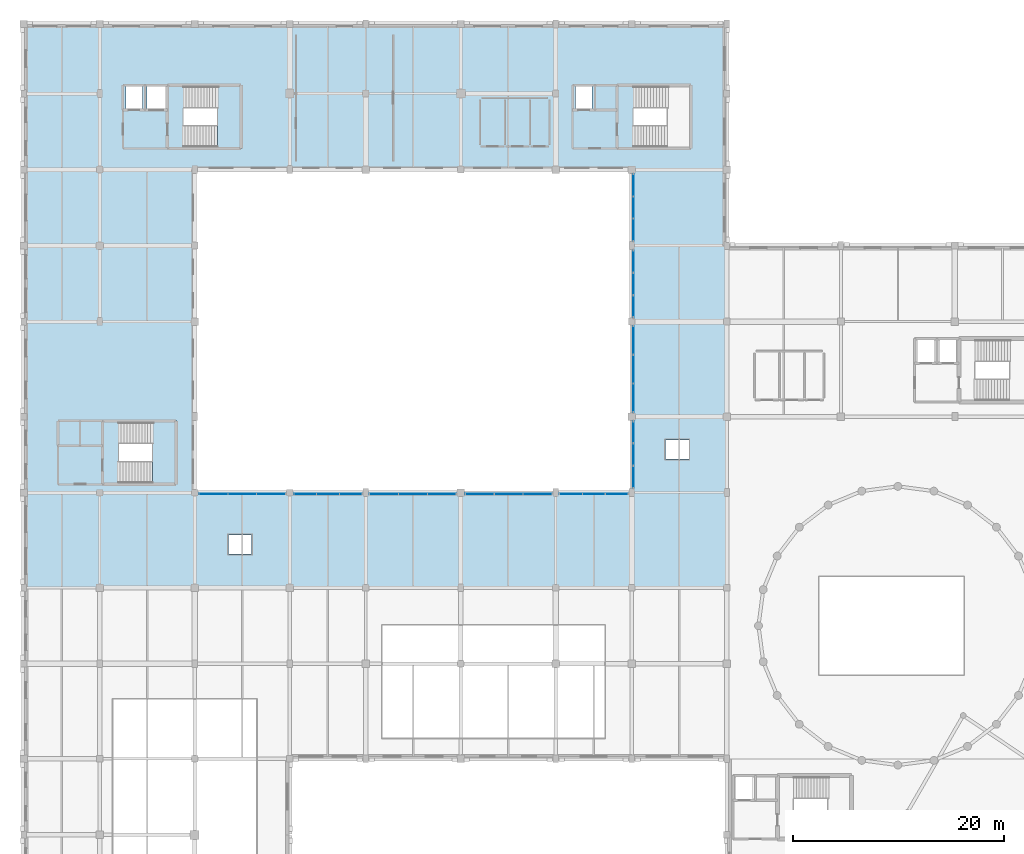
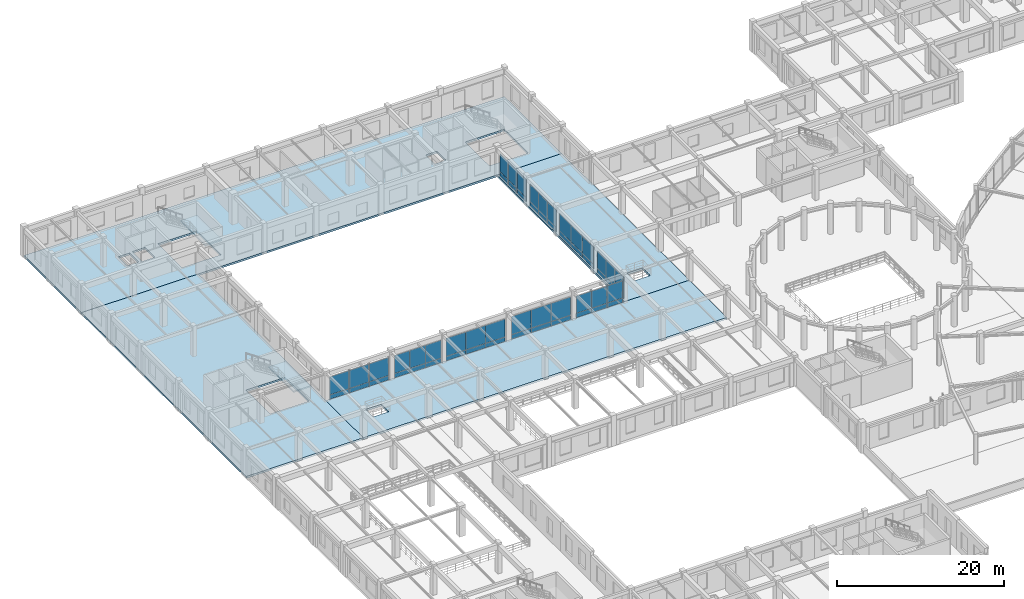
# One storey, part 32 of 62: 54 plates, 6 slabs, 11 elements without a shape of their own.
"""IFC4 building model written with IfcOpenShell, lengths in metres."""

from ifc_helpers import new_model, si_unit, direction, frame, frame_2d, origin, place, context, subcontext, project, spatial, polyline, rectangle, outline, extrude, material, layer, layer_set, type_object, element, aggregate, save


model = new_model("IFC4")

# Units and contexts
model_context = context("Model", 3, precision=1e-05, world=origin(), true_north=direction((0.0, 1.0)))
body_context = subcontext(model_context, "Body", "Model", "MODEL_VIEW")
ifc_project = project(units=[si_unit("LENGTHUNIT", "METRE"), si_unit("AREAUNIT", "SQUARE_METRE"), si_unit("VOLUMEUNIT", "CUBIC_METRE"), si_unit("PLANEANGLEUNIT", "RADIAN"), si_unit("MASSUNIT", "GRAM", prefix="KILO")], contexts=[model_context])

# Site, building, storey
site_placement = place(None, origin())
site = spatial("IfcSite", under=ifc_project, at=site_placement, CompositionType="ELEMENT")
building_placement = place(site_placement, origin())
building = spatial("IfcBuilding", under=site, at=building_placement, Name="Clarverna Civic Hall", CompositionType="ELEMENT")
storey_placement = place(building_placement, frame((0.0, 0.0, 5.10009765625)))
storey = spatial("IfcBuildingStorey", under=building, at=storey_placement, Name="L01", CompositionType="ELEMENT", Elevation=5.10009765625)

# Curtain wall, plates
ifc_material_1 = material(Name="Anodised Bronze Architectural Aluminium", Category="aluminium")
curtain_wall_type = type_object("IfcCurtainWallType", Name="CW-04", PredefinedType="USERDEFINED", material=ifc_material_1)
curtain_wall_1_placement = place(storey_placement, origin())
curtain_wall_1 = element("IfcCurtainWall", 1, at=curtain_wall_1_placement, inside=storey, type_object=curtain_wall_type, Name="CW-04-018", ObjectType="UNITISED CURTAIN WALL", PredefinedType="USERDEFINED")
ifc_material_2 = material(Name="Solar-Control Argon Low-E Double Glazing", Category="glass")
ifc_layer_1 = layer(ifc_material_2, 0.031982421875)
ifc_layer_set_1 = layer_set([ifc_layer_1], Name="Solar-Control Argon Low-E Double Glazing")
plate_type_1 = type_object("IfcPlateType", Name="CWP-01", PredefinedType="CURTAIN_PANEL", material=ifc_layer_set_1)
plate_1_placement = place(storey_placement, frame((16.613037109375, 71.4599609375, 0.764892578125), z_axis=(0.0, 0.0, 1.0), x_axis=(1.0, 0.0, 0.0)))
plate_1 = element("IfcPlate", 2, at=plate_1_placement, type_object=plate_type_1, Name="CWP-01-174", PredefinedType="CURTAIN_PANEL", context=body_context, shape_type="SweptSolid", body=[
    extrude(rectangle(XDim=2.70458984375, YDim=0.031982421875, at=frame_2d((1.352294921875, 0.0))), origin(), (0.0, 0.0, 1.0), 2.625),
])
plate_2_placement = place(storey_placement, frame((19.34765625, 71.4599609375, 0.764892578125), z_axis=(0.0, 0.0, 1.0), x_axis=(1.0, 0.0, 0.0)))
plate_2 = element("IfcPlate", 3, at=plate_2_placement, type_object=plate_type_1, Name="CWP-01-175", PredefinedType="CURTAIN_PANEL", context=body_context, shape_type="SweptSolid", body=[
    extrude(rectangle(XDim=2.70458984375, YDim=0.031982421875, at=frame_2d((1.352294921875, 0.0))), origin(), (0.0, 0.0, 1.0), 2.625),
])
plate_3_placement = place(storey_placement, frame((22.082275390625, 71.4599609375, 0.764892578125), z_axis=(0.0, 0.0, 1.0), x_axis=(1.0, 0.0, 0.0)))
plate_3 = element("IfcPlate", 4, at=plate_3_placement, type_object=plate_type_1, Name="CWP-01-176", PredefinedType="CURTAIN_PANEL", context=body_context, shape_type="SweptSolid", body=[
    extrude(rectangle(XDim=2.704833984375, YDim=0.031982421875, at=frame_2d((1.3525390625, 0.0))), origin(), (0.0, 0.0, 1.0), 2.625),
])

curtain_wall_2_placement = place(storey_placement, origin())
curtain_wall_2 = element("IfcCurtainWall", 5, at=curtain_wall_2_placement, inside=storey, type_object=curtain_wall_type, Name="CW-04-019", ObjectType="UNITISED CURTAIN WALL", PredefinedType="USERDEFINED")
plate_4_placement = place(storey_placement, frame((25.613037109375, 71.4599609375, 0.764892578125), z_axis=(0.0, 0.0, 1.0), x_axis=(1.0, 0.0, 0.0)))
plate_4 = element("IfcPlate", 6, at=plate_4_placement, type_object=plate_type_1, Name="CWP-01-177", PredefinedType="CURTAIN_PANEL", context=body_context, shape_type="SweptSolid", body=[
    extrude(rectangle(XDim=2.121337890625, YDim=0.031982421875, at=frame_2d((1.060546875, 0.0))), origin(), (0.0, 0.0, 1.0), 2.625),
])
plate_5_placement = place(storey_placement, frame((27.764404296875, 71.4599609375, 0.764892578125), z_axis=(0.0, 0.0, 1.0), x_axis=(1.0, 0.0, 0.0)))
plate_5 = element("IfcPlate", 7, at=plate_5_placement, type_object=plate_type_1, Name="CWP-01-178", PredefinedType="CURTAIN_PANEL", context=body_context, shape_type="SweptSolid", body=[
    extrude(rectangle(XDim=2.121337890625, YDim=0.031982421875, at=frame_2d((1.060546875, 0.0))), origin(), (0.0, 0.0, 1.0), 2.625),
])
plate_6_placement = place(storey_placement, frame((29.915771484375, 71.4599609375, 0.764892578125), z_axis=(0.0, 0.0, 1.0), x_axis=(1.0, 0.0, 0.0)))
plate_6 = element("IfcPlate", 8, at=plate_6_placement, type_object=plate_type_1, Name="CWP-01-179", PredefinedType="CURTAIN_PANEL", context=body_context, shape_type="SweptSolid", body=[
    extrude(rectangle(XDim=2.121337890625, YDim=0.031982421875, at=frame_2d((1.060546875, 0.0))), origin(), (0.0, 0.0, 1.0), 2.625),
])

curtain_wall_3_placement = place(storey_placement, origin())
curtain_wall_3 = element("IfcCurtainWall", 9, at=curtain_wall_3_placement, inside=storey, type_object=curtain_wall_type, Name="CW-04-020", ObjectType="UNITISED CURTAIN WALL", PredefinedType="USERDEFINED")
plate_7_placement = place(storey_placement, frame((32.762939453125, 71.4599609375, 0.764892578125), z_axis=(0.0, 0.0, 1.0), x_axis=(1.0, 0.0, 0.0)))
plate_7 = element("IfcPlate", 10, at=plate_7_placement, type_object=plate_type_1, Name="CWP-01-180", PredefinedType="CURTAIN_PANEL", context=body_context, shape_type="SweptSolid", body=[
    extrude(rectangle(XDim=2.713134765625, YDim=0.031982421875, at=frame_2d((1.3564453125, 0.0))), origin(), (0.0, 0.0, 1.0), 2.625),
])
plate_8_placement = place(storey_placement, frame((35.506103515625, 71.4599609375, 0.764892578125), z_axis=(0.0, 0.0, 1.0), x_axis=(1.0, 0.0, 0.0)))
plate_8 = element("IfcPlate", 11, at=plate_8_placement, type_object=plate_type_1, Name="CWP-01-181", PredefinedType="CURTAIN_PANEL", context=body_context, shape_type="SweptSolid", body=[
    extrude(rectangle(XDim=2.712890625, YDim=0.031982421875, at=frame_2d((1.3564453125, 0.0))), origin(), (0.0, 0.0, 1.0), 2.625),
])
plate_9_placement = place(storey_placement, frame((38.2490234375, 71.4599609375, 0.764892578125), z_axis=(0.0, 0.0, 1.0), x_axis=(1.0, 0.0, 0.0)))
plate_9 = element("IfcPlate", 12, at=plate_9_placement, type_object=plate_type_1, Name="CWP-01-182", PredefinedType="CURTAIN_PANEL", context=body_context, shape_type="SweptSolid", body=[
    extrude(rectangle(XDim=2.712890625, YDim=0.031982421875, at=frame_2d((1.3564453125, 0.0))), origin(), (0.0, 0.0, 1.0), 2.625),
])

curtain_wall_4_placement = place(storey_placement, origin())
curtain_wall_4 = element("IfcCurtainWall", 13, at=curtain_wall_4_placement, inside=storey, type_object=curtain_wall_type, Name="CW-04-021", ObjectType="UNITISED CURTAIN WALL", PredefinedType="USERDEFINED")
plate_10_placement = place(storey_placement, frame((41.837890625, 71.4599609375, 0.764892578125), z_axis=(0.0, 0.0, 1.0), x_axis=(1.0, 0.0, 0.0)))
plate_10 = element("IfcPlate", 14, at=plate_10_placement, type_object=plate_type_1, Name="CWP-01-183", PredefinedType="CURTAIN_PANEL", context=body_context, shape_type="SweptSolid", body=[
    extrude(rectangle(XDim=2.713134765625, YDim=0.031982421875, at=frame_2d((1.3564453125, 0.0))), origin(), (0.0, 0.0, 1.0), 2.6650390625),
])
plate_11_placement = place(storey_placement, frame((44.5810546875, 71.4599609375, 0.764892578125), z_axis=(0.0, 0.0, 1.0), x_axis=(1.0, 0.0, 0.0)))
plate_11 = element("IfcPlate", 15, at=plate_11_placement, type_object=plate_type_1, Name="CWP-01-184", PredefinedType="CURTAIN_PANEL", context=body_context, shape_type="SweptSolid", body=[
    extrude(rectangle(XDim=2.712890625, YDim=0.031982421875, at=frame_2d((1.3564453125, 0.0))), origin(), (0.0, 0.0, 1.0), 2.6650390625),
])
plate_12_placement = place(storey_placement, frame((47.323974609375, 71.4599609375, 0.764892578125), z_axis=(0.0, 0.0, 1.0), x_axis=(1.0, 0.0, 0.0)))
plate_12 = element("IfcPlate", 16, at=plate_12_placement, type_object=plate_type_1, Name="CWP-01-185", PredefinedType="CURTAIN_PANEL", context=body_context, shape_type="SweptSolid", body=[
    extrude(rectangle(XDim=2.713134765625, YDim=0.031982421875, at=frame_2d((1.3564453125, 0.0))), origin(), (0.0, 0.0, 1.0), 2.6650390625),
])

curtain_wall_5_placement = place(storey_placement, origin())
curtain_wall_5 = element("IfcCurtainWall", 17, at=curtain_wall_5_placement, inside=storey, type_object=curtain_wall_type, Name="CW-04-022", ObjectType="UNITISED CURTAIN WALL", PredefinedType="USERDEFINED")
plate_13_placement = place(storey_placement, frame((50.762939453125, 71.4599609375, 0.764892578125), z_axis=(0.0, 0.0, 1.0), x_axis=(1.0, 0.0, 0.0)))
plate_13 = element("IfcPlate", 18, at=plate_13_placement, type_object=plate_type_1, Name="CWP-01-186", PredefinedType="CURTAIN_PANEL", context=body_context, shape_type="SweptSolid", body=[
    extrude(rectangle(XDim=2.137939453125, YDim=0.031982421875, at=frame_2d((1.06884765625, 0.0))), origin(), (0.0, 0.0, 1.0), 2.4951171875),
])
plate_14_placement = place(storey_placement, frame((52.930908203125, 71.4599609375, 0.764892578125), z_axis=(0.0, 0.0, 1.0), x_axis=(1.0, 0.0, 0.0)))
plate_14 = element("IfcPlate", 19, at=plate_14_placement, type_object=plate_type_1, Name="CWP-01-187", PredefinedType="CURTAIN_PANEL", context=body_context, shape_type="SweptSolid", body=[
    extrude(rectangle(XDim=2.13818359375, YDim=0.031982421875, at=frame_2d((1.069091796875, 0.0))), origin(), (0.0, 0.0, 1.0), 2.4951171875),
])
plate_15_placement = place(storey_placement, frame((55.09912109375, 71.4599609375, 0.764892578125), z_axis=(0.0, 0.0, 1.0), x_axis=(1.0, 0.0, 0.0)))
plate_15 = element("IfcPlate", 20, at=plate_15_placement, type_object=plate_type_1, Name="CWP-01-188", PredefinedType="CURTAIN_PANEL", context=body_context, shape_type="SweptSolid", body=[
    extrude(rectangle(XDim=2.137939453125, YDim=0.031982421875, at=frame_2d((1.06884765625, 0.0))), origin(), (0.0, 0.0, 1.0), 2.4951171875),
])

curtain_wall_6_placement = place(storey_placement, origin())
curtain_wall_6 = element("IfcCurtainWall", 21, at=curtain_wall_6_placement, inside=storey, type_object=curtain_wall_type, Name="CW-04-023", ObjectType="UNITISED CURTAIN WALL", PredefinedType="USERDEFINED")
plate_16_placement = place(storey_placement, frame((57.739990234375, 72.06298828125, 0.764892578125), z_axis=(0.0, 0.0, 1.0), x_axis=(0.0, 1.0, 0.0)))
plate_16 = element("IfcPlate", 22, at=plate_16_placement, type_object=plate_type_1, Name="CWP-01-189", PredefinedType="CURTAIN_PANEL", context=body_context, shape_type="SweptSolid", body=[
    extrude(rectangle(XDim=2.07958984375, YDim=0.031982421875, at=frame_2d((1.039794921875, 0.0))), origin(), (0.0, 0.0, 1.0), 2.4951171875),
])
plate_17_placement = place(storey_placement, frame((57.739990234375, 74.172607421875, 0.764892578125), z_axis=(0.0, 0.0, 1.0), x_axis=(0.0, 1.0, 0.0)))
plate_17 = element("IfcPlate", 23, at=plate_17_placement, type_object=plate_type_1, Name="CWP-01-190", PredefinedType="CURTAIN_PANEL", context=body_context, shape_type="SweptSolid", body=[
    extrude(rectangle(XDim=2.07958984375, YDim=0.031982421875, at=frame_2d((1.039794921875, 0.0))), origin(), (0.0, 0.0, 1.0), 2.4951171875),
])
plate_18_placement = place(storey_placement, frame((57.739990234375, 76.2822265625, 0.764892578125), z_axis=(0.0, 0.0, 1.0), x_axis=(0.0, 1.0, 0.0)))
plate_18 = element("IfcPlate", 24, at=plate_18_placement, type_object=plate_type_1, Name="CWP-01-191", PredefinedType="CURTAIN_PANEL", context=body_context, shape_type="SweptSolid", body=[
    extrude(rectangle(XDim=2.079833984375, YDim=0.031982421875, at=frame_2d((1.0400390625, 0.0))), origin(), (0.0, 0.0, 1.0), 2.4951171875),
])

curtain_wall_7_placement = place(storey_placement, origin())
curtain_wall_7 = element("IfcCurtainWall", 25, at=curtain_wall_7_placement, inside=storey, type_object=curtain_wall_type, Name="CW-04-024", ObjectType="UNITISED CURTAIN WALL", PredefinedType="USERDEFINED")
plate_19_placement = place(storey_placement, frame((57.739990234375, 79.238037109375, 0.764892578125), z_axis=(0.0, 0.0, 1.0), x_axis=(0.0, 1.0, 0.0)))
plate_19 = element("IfcPlate", 26, at=plate_19_placement, type_object=plate_type_1, Name="CWP-01-192", PredefinedType="CURTAIN_PANEL", context=body_context, shape_type="SweptSolid", body=[
    extrude(rectangle(XDim=2.6962890625, YDim=0.031982421875, at=frame_2d((1.34814453125, 0.0))), origin(), (0.0, 0.0, 1.0), 2.505126953125),
])
plate_20_placement = place(storey_placement, frame((57.739990234375, 81.96435546875, 0.764892578125), z_axis=(0.0, 0.0, 1.0), x_axis=(0.0, 1.0, 0.0)))
plate_20 = element("IfcPlate", 27, at=plate_20_placement, type_object=plate_type_1, Name="CWP-01-193", PredefinedType="CURTAIN_PANEL", context=body_context, shape_type="SweptSolid", body=[
    extrude(rectangle(XDim=2.6962890625, YDim=0.031982421875, at=frame_2d((1.34814453125, 0.0))), origin(), (0.0, 0.0, 1.0), 2.505126953125),
])
plate_21_placement = place(storey_placement, frame((57.739990234375, 84.690673828125, 0.764892578125), z_axis=(0.0, 0.0, 1.0), x_axis=(0.0, 1.0, 0.0)))
plate_21 = element("IfcPlate", 28, at=plate_21_placement, type_object=plate_type_1, Name="CWP-01-194", PredefinedType="CURTAIN_PANEL", context=body_context, shape_type="SweptSolid", body=[
    extrude(rectangle(XDim=2.6962890625, YDim=0.031982421875, at=frame_2d((1.34814453125, 0.0))), origin(), (0.0, 0.0, 1.0), 2.505126953125),
])

curtain_wall_8_placement = place(storey_placement, origin())
curtain_wall_8 = element("IfcCurtainWall", 29, at=curtain_wall_8_placement, inside=storey, type_object=curtain_wall_type, Name="CW-04-025", ObjectType="UNITISED CURTAIN WALL", PredefinedType="USERDEFINED")
plate_22_placement = place(storey_placement, frame((57.739990234375, 88.212890625, 0.764892578125), z_axis=(0.0, 0.0, 1.0), x_axis=(0.0, 1.0, 0.0)))
plate_22 = element("IfcPlate", 30, at=plate_22_placement, type_object=plate_type_1, Name="CWP-01-195", PredefinedType="CURTAIN_PANEL", context=body_context, shape_type="SweptSolid", body=[
    extrude(rectangle(XDim=2.088134765625, YDim=0.031982421875, at=frame_2d((1.0439453125, 0.0))), origin(), (0.0, 0.0, 1.0), 2.505126953125),
])
plate_23_placement = place(storey_placement, frame((57.739990234375, 90.3310546875, 0.764892578125), z_axis=(0.0, 0.0, 1.0), x_axis=(0.0, 1.0, 0.0)))
plate_23 = element("IfcPlate", 31, at=plate_23_placement, type_object=plate_type_1, Name="CWP-01-196", PredefinedType="CURTAIN_PANEL", context=body_context, shape_type="SweptSolid", body=[
    extrude(rectangle(XDim=2.087890625, YDim=0.031982421875, at=frame_2d((1.0439453125, 0.0))), origin(), (0.0, 0.0, 1.0), 2.505126953125),
])
plate_24_placement = place(storey_placement, frame((57.739990234375, 92.448974609375, 0.764892578125), z_axis=(0.0, 0.0, 1.0), x_axis=(0.0, 1.0, 0.0)))
plate_24 = element("IfcPlate", 32, at=plate_24_placement, type_object=plate_type_1, Name="CWP-01-197", PredefinedType="CURTAIN_PANEL", context=body_context, shape_type="SweptSolid", body=[
    extrude(rectangle(XDim=2.088134765625, YDim=0.031982421875, at=frame_2d((1.0439453125, 0.0))), origin(), (0.0, 0.0, 1.0), 2.505126953125),
])

curtain_wall_9_placement = place(storey_placement, origin())
curtain_wall_9 = element("IfcCurtainWall", 33, at=curtain_wall_9_placement, inside=storey, type_object=curtain_wall_type, Name="CW-04-026", ObjectType="UNITISED CURTAIN WALL", PredefinedType="USERDEFINED")
plate_25_placement = place(storey_placement, frame((57.739990234375, 95.462890625, 0.764892578125), z_axis=(0.0, 0.0, 1.0), x_axis=(0.0, 1.0, 0.0)))
plate_25 = element("IfcPlate", 34, at=plate_25_placement, type_object=plate_type_1, Name="CWP-01-198", PredefinedType="CURTAIN_PANEL", context=body_context, shape_type="SweptSolid", body=[
    extrude(rectangle(XDim=2.079833984375, YDim=0.031982421875, at=frame_2d((1.0400390625, 0.0))), origin(), (0.0, 0.0, 1.0), 2.625),
])
plate_26_placement = place(storey_placement, frame((57.739990234375, 97.57275390625, 0.764892578125), z_axis=(0.0, 0.0, 1.0), x_axis=(0.0, 1.0, 0.0)))
plate_26 = element("IfcPlate", 35, at=plate_26_placement, type_object=plate_type_1, Name="CWP-01-199", PredefinedType="CURTAIN_PANEL", context=body_context, shape_type="SweptSolid", body=[
    extrude(rectangle(XDim=2.07958984375, YDim=0.031982421875, at=frame_2d((1.039794921875, 0.0))), origin(), (0.0, 0.0, 1.0), 2.625),
])
plate_27_placement = place(storey_placement, frame((57.739990234375, 99.682373046875, 0.764892578125), z_axis=(0.0, 0.0, 1.0), x_axis=(0.0, 1.0, 0.0)))
plate_27 = element("IfcPlate", 36, at=plate_27_placement, type_object=plate_type_1, Name="CWP-01-200", PredefinedType="CURTAIN_PANEL", context=body_context, shape_type="SweptSolid", body=[
    extrude(rectangle(XDim=2.07958984375, YDim=0.031982421875, at=frame_2d((1.039794921875, 0.0))), origin(), (0.0, 0.0, 1.0), 2.625),
])

# Plate
ifc_material_3 = material(Name="Insulated Anodised Bronze Spandrel Panel", Category="aluminium")
ifc_layer_2 = layer(ifc_material_3, 0.048095703125)
ifc_layer_set_2 = layer_set([ifc_layer_2], Name="Insulated Anodised Bronze Spandrel Panel")
plate_type_2 = type_object("IfcPlateType", Name="CWP-03", PredefinedType="CURTAIN_PANEL", material=ifc_layer_set_2)
plate_28_placement = place(storey_placement, frame((16.613037109375, 71.4599609375, 0.10986328125), z_axis=(0.0, 0.0, 1.0), x_axis=(1.0, 0.0, 0.0)))
plate_28 = element("IfcPlate", 37, at=plate_28_placement, type_object=plate_type_2, Name="CWP-03-176", PredefinedType="CURTAIN_PANEL", context=body_context, shape_type="SweptSolid", body=[
    extrude(rectangle(XDim=2.70458984375, YDim=0.048095703125, at=frame_2d((1.352294921875, 0.0))), origin(), (0.0, 0.0, 1.0), 0.625),
])

plate_29_placement = place(storey_placement, frame((19.34765625, 71.4599609375, 0.10986328125), z_axis=(0.0, 0.0, 1.0), x_axis=(1.0, 0.0, 0.0)))
plate_29 = element("IfcPlate", 38, at=plate_29_placement, type_object=plate_type_2, Name="CWP-03-177", PredefinedType="CURTAIN_PANEL", context=body_context, shape_type="SweptSolid", body=[
    extrude(rectangle(XDim=2.70458984375, YDim=0.048095703125, at=frame_2d((1.352294921875, 0.0))), origin(), (0.0, 0.0, 1.0), 0.625),
])

plate_30_placement = place(storey_placement, frame((22.082275390625, 71.4599609375, 0.10986328125), z_axis=(0.0, 0.0, 1.0), x_axis=(1.0, 0.0, 0.0)))
plate_30 = element("IfcPlate", 39, at=plate_30_placement, type_object=plate_type_2, Name="CWP-03-178", PredefinedType="CURTAIN_PANEL", context=body_context, shape_type="SweptSolid", body=[
    extrude(rectangle(XDim=2.704833984375, YDim=0.048095703125, at=frame_2d((1.3525390625, 0.0))), origin(), (0.0, 0.0, 1.0), 0.625),
])

aggregate(curtain_wall_1, [plate_28, plate_1, plate_29, plate_2, plate_30, plate_3])

plate_31_placement = place(storey_placement, frame((25.613037109375, 71.4599609375, 0.10986328125), z_axis=(0.0, 0.0, 1.0), x_axis=(1.0, 0.0, 0.0)))
plate_31 = element("IfcPlate", 40, at=plate_31_placement, type_object=plate_type_2, Name="CWP-03-179", PredefinedType="CURTAIN_PANEL", context=body_context, shape_type="SweptSolid", body=[
    extrude(rectangle(XDim=2.121337890625, YDim=0.048095703125, at=frame_2d((1.060546875, 0.0))), origin(), (0.0, 0.0, 1.0), 0.625),
])

plate_32_placement = place(storey_placement, frame((27.764404296875, 71.4599609375, 0.10986328125), z_axis=(0.0, 0.0, 1.0), x_axis=(1.0, 0.0, 0.0)))
plate_32 = element("IfcPlate", 41, at=plate_32_placement, type_object=plate_type_2, Name="CWP-03-180", PredefinedType="CURTAIN_PANEL", context=body_context, shape_type="SweptSolid", body=[
    extrude(rectangle(XDim=2.121337890625, YDim=0.048095703125, at=frame_2d((1.060546875, 0.0))), origin(), (0.0, 0.0, 1.0), 0.625),
])

plate_33_placement = place(storey_placement, frame((29.915771484375, 71.4599609375, 0.10986328125), z_axis=(0.0, 0.0, 1.0), x_axis=(1.0, 0.0, 0.0)))
plate_33 = element("IfcPlate", 42, at=plate_33_placement, type_object=plate_type_2, Name="CWP-03-181", PredefinedType="CURTAIN_PANEL", context=body_context, shape_type="SweptSolid", body=[
    extrude(rectangle(XDim=2.121337890625, YDim=0.048095703125, at=frame_2d((1.060546875, 0.0))), origin(), (0.0, 0.0, 1.0), 0.625),
])

aggregate(curtain_wall_2, [plate_31, plate_4, plate_32, plate_5, plate_33, plate_6])

plate_34_placement = place(storey_placement, frame((32.762939453125, 71.4599609375, 0.10986328125), z_axis=(0.0, 0.0, 1.0), x_axis=(1.0, 0.0, 0.0)))
plate_34 = element("IfcPlate", 43, at=plate_34_placement, type_object=plate_type_2, Name="CWP-03-182", PredefinedType="CURTAIN_PANEL", context=body_context, shape_type="SweptSolid", body=[
    extrude(rectangle(XDim=2.713134765625, YDim=0.048095703125, at=frame_2d((1.3564453125, 0.0))), origin(), (0.0, 0.0, 1.0), 0.625),
])

plate_35_placement = place(storey_placement, frame((35.506103515625, 71.4599609375, 0.10986328125), z_axis=(0.0, 0.0, 1.0), x_axis=(1.0, 0.0, 0.0)))
plate_35 = element("IfcPlate", 44, at=plate_35_placement, type_object=plate_type_2, Name="CWP-03-183", PredefinedType="CURTAIN_PANEL", context=body_context, shape_type="SweptSolid", body=[
    extrude(rectangle(XDim=2.712890625, YDim=0.048095703125, at=frame_2d((1.3564453125, 0.0))), origin(), (0.0, 0.0, 1.0), 0.625),
])

plate_36_placement = place(storey_placement, frame((38.2490234375, 71.4599609375, 0.10986328125), z_axis=(0.0, 0.0, 1.0), x_axis=(1.0, 0.0, 0.0)))
plate_36 = element("IfcPlate", 45, at=plate_36_placement, type_object=plate_type_2, Name="CWP-03-184", PredefinedType="CURTAIN_PANEL", context=body_context, shape_type="SweptSolid", body=[
    extrude(rectangle(XDim=2.712890625, YDim=0.048095703125, at=frame_2d((1.3564453125, 0.0))), origin(), (0.0, 0.0, 1.0), 0.625),
])

aggregate(curtain_wall_3, [plate_34, plate_7, plate_35, plate_8, plate_36, plate_9])

plate_37_placement = place(storey_placement, frame((41.837890625, 71.4599609375, 0.10986328125), z_axis=(0.0, 0.0, 1.0), x_axis=(1.0, 0.0, 0.0)))
plate_37 = element("IfcPlate", 46, at=plate_37_placement, type_object=plate_type_2, Name="CWP-03-185", PredefinedType="CURTAIN_PANEL", context=body_context, shape_type="SweptSolid", body=[
    extrude(rectangle(XDim=2.713134765625, YDim=0.048095703125, at=frame_2d((1.3564453125, 0.0))), origin(), (0.0, 0.0, 1.0), 0.625),
])

plate_38_placement = place(storey_placement, frame((44.5810546875, 71.4599609375, 0.10986328125), z_axis=(0.0, 0.0, 1.0), x_axis=(1.0, 0.0, 0.0)))
plate_38 = element("IfcPlate", 47, at=plate_38_placement, type_object=plate_type_2, Name="CWP-03-186", PredefinedType="CURTAIN_PANEL", context=body_context, shape_type="SweptSolid", body=[
    extrude(rectangle(XDim=2.712890625, YDim=0.048095703125, at=frame_2d((1.3564453125, 0.0))), origin(), (0.0, 0.0, 1.0), 0.625),
])

plate_39_placement = place(storey_placement, frame((47.323974609375, 71.4599609375, 0.10986328125), z_axis=(0.0, 0.0, 1.0), x_axis=(1.0, 0.0, 0.0)))
plate_39 = element("IfcPlate", 48, at=plate_39_placement, type_object=plate_type_2, Name="CWP-03-187", PredefinedType="CURTAIN_PANEL", context=body_context, shape_type="SweptSolid", body=[
    extrude(rectangle(XDim=2.713134765625, YDim=0.048095703125, at=frame_2d((1.3564453125, 0.0))), origin(), (0.0, 0.0, 1.0), 0.625),
])

aggregate(curtain_wall_4, [plate_37, plate_10, plate_38, plate_11, plate_39, plate_12])

plate_40_placement = place(storey_placement, frame((50.762939453125, 71.4599609375, 0.10986328125), z_axis=(0.0, 0.0, 1.0), x_axis=(1.0, 0.0, 0.0)))
plate_40 = element("IfcPlate", 49, at=plate_40_placement, type_object=plate_type_2, Name="CWP-03-188", PredefinedType="CURTAIN_PANEL", context=body_context, shape_type="SweptSolid", body=[
    extrude(rectangle(XDim=2.137939453125, YDim=0.048095703125, at=frame_2d((1.06884765625, 0.0))), origin(), (0.0, 0.0, 1.0), 0.625),
])

plate_41_placement = place(storey_placement, frame((52.930908203125, 71.4599609375, 0.10986328125), z_axis=(0.0, 0.0, 1.0), x_axis=(1.0, 0.0, 0.0)))
plate_41 = element("IfcPlate", 50, at=plate_41_placement, type_object=plate_type_2, Name="CWP-03-189", PredefinedType="CURTAIN_PANEL", context=body_context, shape_type="SweptSolid", body=[
    extrude(rectangle(XDim=2.13818359375, YDim=0.048095703125, at=frame_2d((1.069091796875, 0.0))), origin(), (0.0, 0.0, 1.0), 0.625),
])

plate_42_placement = place(storey_placement, frame((55.09912109375, 71.4599609375, 0.10986328125), z_axis=(0.0, 0.0, 1.0), x_axis=(1.0, 0.0, 0.0)))
plate_42 = element("IfcPlate", 51, at=plate_42_placement, type_object=plate_type_2, Name="CWP-03-190", PredefinedType="CURTAIN_PANEL", context=body_context, shape_type="SweptSolid", body=[
    extrude(rectangle(XDim=2.137939453125, YDim=0.048095703125, at=frame_2d((1.06884765625, 0.0))), origin(), (0.0, 0.0, 1.0), 0.625),
])

aggregate(curtain_wall_5, [plate_40, plate_13, plate_41, plate_14, plate_42, plate_15])

plate_43_placement = place(storey_placement, frame((57.739990234375, 72.06298828125, 0.10986328125), z_axis=(0.0, 0.0, 1.0), x_axis=(0.0, 1.0, 0.0)))
plate_43 = element("IfcPlate", 52, at=plate_43_placement, type_object=plate_type_2, Name="CWP-03-191", PredefinedType="CURTAIN_PANEL", context=body_context, shape_type="SweptSolid", body=[
    extrude(rectangle(XDim=2.07958984375, YDim=0.048095703125, at=frame_2d((1.039794921875, 0.0))), origin(), (0.0, 0.0, 1.0), 0.625),
])

plate_44_placement = place(storey_placement, frame((57.739990234375, 74.172607421875, 0.10986328125), z_axis=(0.0, 0.0, 1.0), x_axis=(0.0, 1.0, 0.0)))
plate_44 = element("IfcPlate", 53, at=plate_44_placement, type_object=plate_type_2, Name="CWP-03-192", PredefinedType="CURTAIN_PANEL", context=body_context, shape_type="SweptSolid", body=[
    extrude(rectangle(XDim=2.07958984375, YDim=0.048095703125, at=frame_2d((1.039794921875, 0.0))), origin(), (0.0, 0.0, 1.0), 0.625),
])

plate_45_placement = place(storey_placement, frame((57.739990234375, 76.2822265625, 0.10986328125), z_axis=(0.0, 0.0, 1.0), x_axis=(0.0, 1.0, 0.0)))
plate_45 = element("IfcPlate", 54, at=plate_45_placement, type_object=plate_type_2, Name="CWP-03-193", PredefinedType="CURTAIN_PANEL", context=body_context, shape_type="SweptSolid", body=[
    extrude(rectangle(XDim=2.079833984375, YDim=0.048095703125, at=frame_2d((1.0400390625, 0.0))), origin(), (0.0, 0.0, 1.0), 0.625),
])

aggregate(curtain_wall_6, [plate_43, plate_16, plate_44, plate_17, plate_45, plate_18])

plate_46_placement = place(storey_placement, frame((57.739990234375, 79.238037109375, 0.10986328125), z_axis=(0.0, 0.0, 1.0), x_axis=(0.0, 1.0, 0.0)))
plate_46 = element("IfcPlate", 55, at=plate_46_placement, type_object=plate_type_2, Name="CWP-03-194", PredefinedType="CURTAIN_PANEL", context=body_context, shape_type="SweptSolid", body=[
    extrude(rectangle(XDim=2.6962890625, YDim=0.048095703125, at=frame_2d((1.34814453125, 0.0))), origin(), (0.0, 0.0, 1.0), 0.625),
])

plate_47_placement = place(storey_placement, frame((57.739990234375, 81.96435546875, 0.10986328125), z_axis=(0.0, 0.0, 1.0), x_axis=(0.0, 1.0, 0.0)))
plate_47 = element("IfcPlate", 56, at=plate_47_placement, type_object=plate_type_2, Name="CWP-03-195", PredefinedType="CURTAIN_PANEL", context=body_context, shape_type="SweptSolid", body=[
    extrude(rectangle(XDim=2.6962890625, YDim=0.048095703125, at=frame_2d((1.34814453125, 0.0))), origin(), (0.0, 0.0, 1.0), 0.625),
])

plate_48_placement = place(storey_placement, frame((57.739990234375, 84.690673828125, 0.10986328125), z_axis=(0.0, 0.0, 1.0), x_axis=(0.0, 1.0, 0.0)))
plate_48 = element("IfcPlate", 57, at=plate_48_placement, type_object=plate_type_2, Name="CWP-03-196", PredefinedType="CURTAIN_PANEL", context=body_context, shape_type="SweptSolid", body=[
    extrude(rectangle(XDim=2.6962890625, YDim=0.048095703125, at=frame_2d((1.34814453125, 0.0))), origin(), (0.0, 0.0, 1.0), 0.625),
])

aggregate(curtain_wall_7, [plate_46, plate_19, plate_47, plate_20, plate_48, plate_21])

plate_49_placement = place(storey_placement, frame((57.739990234375, 88.212890625, 0.10986328125), z_axis=(0.0, 0.0, 1.0), x_axis=(0.0, 1.0, 0.0)))
plate_49 = element("IfcPlate", 58, at=plate_49_placement, type_object=plate_type_2, Name="CWP-03-197", PredefinedType="CURTAIN_PANEL", context=body_context, shape_type="SweptSolid", body=[
    extrude(rectangle(XDim=2.088134765625, YDim=0.048095703125, at=frame_2d((1.0439453125, 0.0))), origin(), (0.0, 0.0, 1.0), 0.625),
])

plate_50_placement = place(storey_placement, frame((57.739990234375, 90.3310546875, 0.10986328125), z_axis=(0.0, 0.0, 1.0), x_axis=(0.0, 1.0, 0.0)))
plate_50 = element("IfcPlate", 59, at=plate_50_placement, type_object=plate_type_2, Name="CWP-03-198", PredefinedType="CURTAIN_PANEL", context=body_context, shape_type="SweptSolid", body=[
    extrude(rectangle(XDim=2.087890625, YDim=0.048095703125, at=frame_2d((1.0439453125, 0.0))), origin(), (0.0, 0.0, 1.0), 0.625),
])

plate_51_placement = place(storey_placement, frame((57.739990234375, 92.448974609375, 0.10986328125), z_axis=(0.0, 0.0, 1.0), x_axis=(0.0, 1.0, 0.0)))
plate_51 = element("IfcPlate", 60, at=plate_51_placement, type_object=plate_type_2, Name="CWP-03-199", PredefinedType="CURTAIN_PANEL", context=body_context, shape_type="SweptSolid", body=[
    extrude(rectangle(XDim=2.088134765625, YDim=0.048095703125, at=frame_2d((1.0439453125, 0.0))), origin(), (0.0, 0.0, 1.0), 0.625),
])

aggregate(curtain_wall_8, [plate_49, plate_22, plate_50, plate_23, plate_51, plate_24])

plate_52_placement = place(storey_placement, frame((57.739990234375, 95.462890625, 0.10986328125), z_axis=(0.0, 0.0, 1.0), x_axis=(0.0, 1.0, 0.0)))
plate_52 = element("IfcPlate", 61, at=plate_52_placement, type_object=plate_type_2, Name="CWP-03-200", PredefinedType="CURTAIN_PANEL", context=body_context, shape_type="SweptSolid", body=[
    extrude(rectangle(XDim=2.079833984375, YDim=0.048095703125, at=frame_2d((1.0400390625, 0.0))), origin(), (0.0, 0.0, 1.0), 0.625),
])

plate_53_placement = place(storey_placement, frame((57.739990234375, 97.57275390625, 0.10986328125), z_axis=(0.0, 0.0, 1.0), x_axis=(0.0, 1.0, 0.0)))
plate_53 = element("IfcPlate", 62, at=plate_53_placement, type_object=plate_type_2, Name="CWP-03-201", PredefinedType="CURTAIN_PANEL", context=body_context, shape_type="SweptSolid", body=[
    extrude(rectangle(XDim=2.07958984375, YDim=0.048095703125, at=frame_2d((1.039794921875, 0.0))), origin(), (0.0, 0.0, 1.0), 0.625),
])

plate_54_placement = place(storey_placement, frame((57.739990234375, 99.682373046875, 0.10986328125), z_axis=(0.0, 0.0, 1.0), x_axis=(0.0, 1.0, 0.0)))
plate_54 = element("IfcPlate", 63, at=plate_54_placement, type_object=plate_type_2, Name="CWP-03-202", PredefinedType="CURTAIN_PANEL", context=body_context, shape_type="SweptSolid", body=[
    extrude(rectangle(XDim=2.07958984375, YDim=0.048095703125, at=frame_2d((1.039794921875, 0.0))), origin(), (0.0, 0.0, 1.0), 0.625),
])

aggregate(curtain_wall_9, [plate_52, plate_25, plate_53, plate_26, plate_54, plate_27])

# Slabs
ifc_material_4 = material(Name="Concrete C30/37", Category="concrete")
ifc_layer_3 = layer(ifc_material_4, 0.280029296875)
ifc_layer_set_3 = layer_set([ifc_layer_3], Name="Concrete C30/37")
slab_type_1 = type_object("IfcSlabType", Name="SL-FL4", PredefinedType="FLOOR", material=ifc_layer_set_3)
slab_1_placement = place(storey_placement, frame((0.0, 0.0, -0.280029296875)))
element("IfcSlab", 64, at=slab_1_placement, inside=storey, type_object=slab_type_1, Name="SL-FL4-001", PredefinedType="FLOOR", context=body_context, shape_type="SweptSolid", body=[
    extrude(outline(polyline([(0.0, 102.199951171875), (66.574951171875, 102.199951171875), (66.574951171875, 116.0), (0.0, 116.0), (0.0, 102.199951171875)]), holes=[polyline([(15.14990234375, 104.320068359375), (20.550048828125, 104.320068359375), (20.550048828125, 110.080078125), (15.14990234375, 110.080078125), (15.14990234375, 104.320068359375)]), polyline([(9.669921875, 107.93994140625), (11.22998046875, 107.93994140625), (11.22998046875, 110.10009765625), (9.669921875, 110.10009765625), (9.669921875, 107.93994140625)]), polyline([(11.669921875, 107.840087890625), (13.429931640625, 107.840087890625), (13.429931640625, 110.199951171875), (11.669921875, 110.199951171875), (11.669921875, 107.840087890625)]), polyline([(57.75, 104.320068359375), (63.14990234375, 104.320068359375), (63.14990234375, 110.080078125), (57.75, 110.080078125), (57.75, 104.320068359375)]), polyline([(52.27001953125, 107.93994140625), (53.830078125, 107.93994140625), (53.830078125, 110.10009765625), (52.27001953125, 110.10009765625), (52.27001953125, 107.93994140625)])]), origin(), (0.0, 0.0, 1.0), 0.280029296875),
])
slab_2_placement = place(storey_placement, frame((0.0, 0.0, -0.280029296875)))
element("IfcSlab", 65, at=slab_2_placement, inside=storey, type_object=slab_type_1, Name="SL-FL4-002", PredefinedType="FLOOR", context=body_context, shape_type="SweptSolid", body=[
    extrude(outline(polyline([(0.0, 102.199951171875), (0.0, 62.60009765625), (16.199951171875, 62.60009765625), (16.199951171875, 102.199951171875), (0.0, 102.199951171875)]), holes=[polyline([(9.0, 72.52001953125), (14.39990234375, 72.52001953125), (14.39990234375, 78.280029296875), (9.0, 78.280029296875), (9.0, 72.52001953125)])]), origin(), (0.0, 0.0, 1.0), 0.280029296875),
])
slab_3_placement = place(storey_placement, frame((0.0, 0.0, -0.280029296875)))
element("IfcSlab", 66, at=slab_3_placement, inside=storey, type_object=slab_type_1, Name="SL-FL4-003", PredefinedType="FLOOR", context=body_context, shape_type="SweptSolid", body=[
    extrude(outline(polyline([(16.199951171875, 62.60009765625), (66.574951171875, 62.60009765625), (66.574951171875, 71.60009765625), (16.199951171875, 71.60009765625), (16.199951171875, 62.60009765625)]), holes=[polyline([(19.39990234375, 65.800048828125), (21.60009765625, 65.800048828125), (21.60009765625, 67.60009765625), (19.39990234375, 67.60009765625), (19.39990234375, 65.800048828125)])]), origin(), (0.0, 0.0, 1.0), 0.280029296875),
])
slab_4_placement = place(storey_placement, frame((0.0, 0.0, -0.280029296875)))
element("IfcSlab", 67, at=slab_4_placement, inside=storey, type_object=slab_type_1, Name="SL-FL4-004", PredefinedType="FLOOR", context=body_context, shape_type="SweptSolid", body=[
    extrude(outline(polyline([(57.60009765625, 71.60009765625), (66.574951171875, 71.60009765625), (66.574951171875, 102.199951171875), (57.60009765625, 102.199951171875), (57.60009765625, 71.60009765625)]), holes=[polyline([(60.800048828125, 74.800048828125), (63.0, 74.800048828125), (63.0, 76.60009765625), (60.800048828125, 76.60009765625), (60.800048828125, 74.800048828125)])]), origin(), (0.0, 0.0, 1.0), 0.280029296875),
])

# Stair, slab
stair_type = type_object("IfcStairType", Name="ST-U1", PredefinedType="HALF_TURN_STAIR", material=ifc_material_4)
stair_1_placement = place(storey_placement, origin())
stair_1 = element("IfcStair", 68, at=stair_1_placement, inside=storey, type_object=stair_type, Name="ST-U1:L01:0008", PredefinedType="HALF_TURN_STAIR")
ifc_layer_4 = layer(ifc_material_4, 0.199951171875)
ifc_layer_set_4 = layer_set([ifc_layer_4], Name="Concrete C30/37")
slab_type_2 = type_object("IfcSlabType", Name="SL-LD1", PredefinedType="LANDING", material=ifc_layer_set_4)
slab_5_placement = place(storey_placement, frame((0.0, 0.0, 2.0498046875)))
slab_5 = element("IfcSlab", 69, at=slab_5_placement, type_object=slab_type_2, Name="SL-LD1-027", PredefinedType="LANDING", context=body_context, shape_type="SweptSolid", body=[
    extrude(outline(polyline([(18.340087890625, 104.219970703125), (20.64990234375, 104.219970703125), (20.64990234375, 110.179931640625), (18.340087890625, 110.179931640625), (18.340087890625, 104.219970703125)])), origin(), (0.0, 0.0, 1.0), 0.2001953125),
])
aggregate(stair_1, [slab_5])

stair_2_placement = place(storey_placement, origin())
stair_2 = element("IfcStair", 70, at=stair_2_placement, inside=storey, type_object=stair_type, Name="ST-U1:L01:0018", PredefinedType="HALF_TURN_STAIR")
slab_6_placement = place(storey_placement, frame((0.0, 0.0, 2.0498046875)))
slab_6 = element("IfcSlab", 71, at=slab_6_placement, type_object=slab_type_2, Name="SL-LD1-051", PredefinedType="LANDING", context=body_context, shape_type="SweptSolid", body=[
    extrude(outline(polyline([(12.18994140625, 72.419921875), (14.5, 72.419921875), (14.5, 78.3798828125), (12.18994140625, 78.3798828125), (12.18994140625, 72.419921875)])), origin(), (0.0, 0.0, 1.0), 0.2001953125),
])
aggregate(stair_2, [slab_6])

save(model, "model.ifc")
